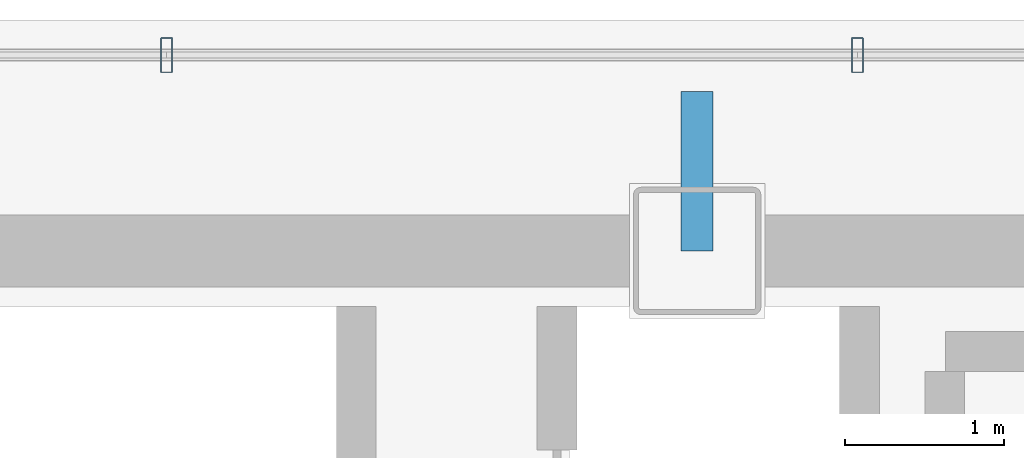
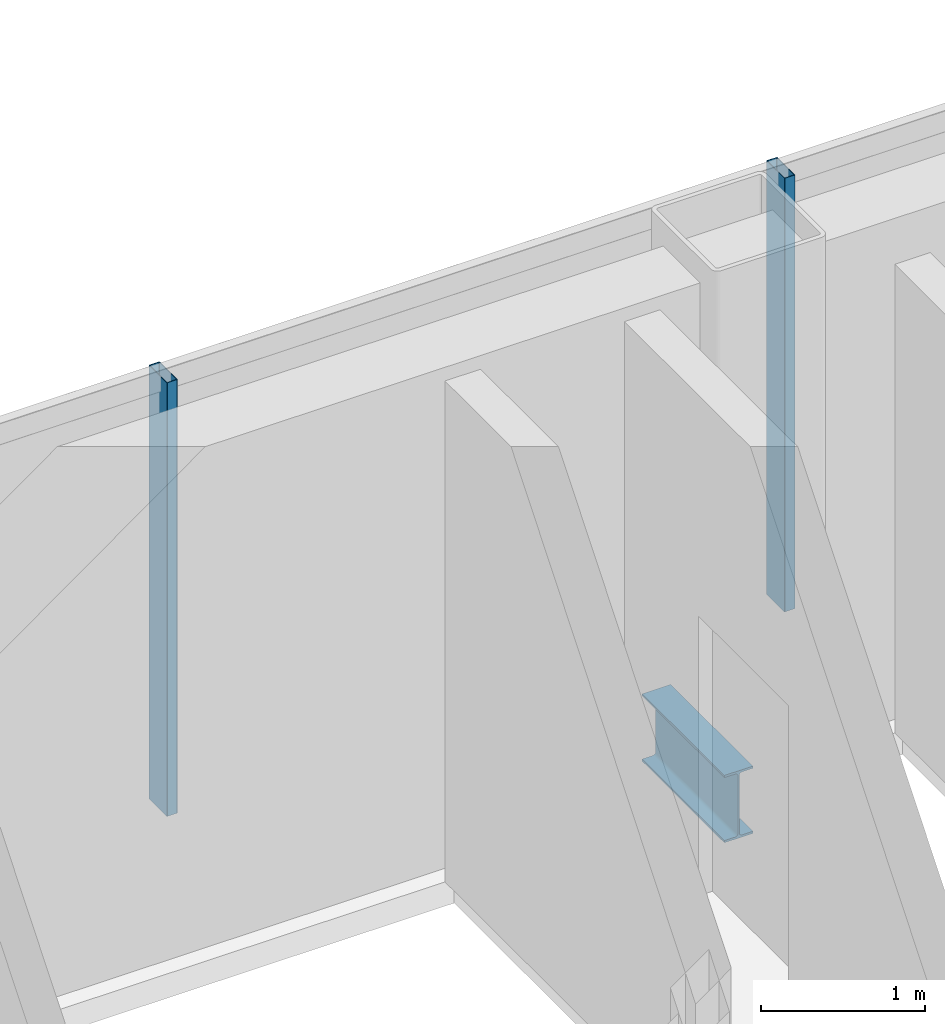
# One storey, part 9 of 15: 2 members, 1 beam, 1 element without a shape of its own.
"""IFC4 building model written with IfcOpenShell, lengths in metres."""

from ifc_helpers import new_model, si_unit, direction, frame, origin, origin_2d, place, context, subcontext, project, spatial, hollow_rectangle, i_section, extrude, material, material_profile, profile_set, type_object, element, aggregate, save


model = new_model("IFC4")

# Units and contexts
model_context = context("Model", 3, precision=1e-05, world=origin(), true_north=direction((0.0, 1.0)))
body_context = subcontext(model_context, "Body", "Model", "MODEL_VIEW")
ifc_project = project(units=[si_unit("LENGTHUNIT", "METRE"), si_unit("AREAUNIT", "SQUARE_METRE"), si_unit("VOLUMEUNIT", "CUBIC_METRE"), si_unit("PLANEANGLEUNIT", "RADIAN"), si_unit("MASSUNIT", "GRAM", prefix="KILO")], contexts=[model_context])

# Site, building, storey
site_placement = place(None, origin())
site = spatial("IfcSite", under=ifc_project, at=site_placement, CompositionType="ELEMENT")
building_placement = place(site_placement, origin())
building = spatial("IfcBuilding", under=site, at=building_placement, Name="Noeulbin Bourse Tower", CompositionType="ELEMENT")
storey_placement = place(building_placement, frame((0.0, 0.0, 215.0)))
storey = spatial("IfcBuildingStorey", under=building, at=storey_placement, Name="L53", CompositionType="ELEMENT", Elevation=215.0)

# Beam
ifc_material_1 = material(Name="Steel S355", Category="steel")
ifc_material_profile_1 = material_profile(ifc_material_1, i_section(OverallWidth=0.199951171875, OverallDepth=0.5, WebThickness=0.010009765625, FlangeThickness=0.01611328125, FilletRadius=0.02001953125, at=origin_2d()), Name="H-500x200x10x16", Category="LoadBearing")
ifc_profile_set_1 = profile_set([ifc_material_profile_1], Name="Steel S355")
beam_type = type_object("IfcBeamType", Name="BM-GRD-500", PredefinedType="USERDEFINED", material=ifc_profile_set_1)
beam_placement = place(storey_placement, frame((37.5, 38.300048828125, -0.429931640625), z_axis=(0.0, 1.0, 0.0), x_axis=(-1.0, 0.0, 0.0)))
element("IfcBeam", 1, at=beam_placement, inside=storey, type_object=beam_type, Name="Tower Primary Girder NS L53-4.4", ObjectType="GIRDER", PredefinedType="USERDEFINED", context=body_context, shape_type="SweptSolid", body=[
    extrude(i_section(OverallWidth=0.199951171875, OverallDepth=0.5, WebThickness=0.010009765625, FlangeThickness=0.01611328125, FilletRadius=0.02001953125, at=origin_2d()), origin(), (0.0, 0.0, 1.0), 1.0),
])

# Curtain wall, members
ifc_material_2 = material(Name="High-Selectivity Low-Iron Glazing", Category="glass")
curtain_wall_type = type_object("IfcCurtainWallType", Name="CW-SYS-4", PredefinedType="NOTDEFINED", material=ifc_material_2)
curtain_wall_placement = place(storey_placement, origin())
curtain_wall = element("IfcCurtainWall", 2, at=curtain_wall_placement, inside=storey, type_object=curtain_wall_type, Name="Unitised Curtain Wall CW-L53-N", PredefinedType="NOTDEFINED")
ifc_material_3 = material(Name="Anodised Aluminium 6063-T6", Category="aluminium")
ifc_material_profile_2 = material_profile(ifc_material_3, hollow_rectangle(XDim=0.074951171875, YDim=0.219970703125, WallThickness=0.0048828125, InnerFilletRadius=0.00244140625, OuterFilletRadius=0.0048828125, at=origin_2d()), Name="ALU-MULL-75x220x5", Category="LoadBearing")
ifc_profile_set_2 = profile_set([ifc_material_profile_2], Name="Anodised Aluminium 6063-T6")
member_type = type_object("IfcMemberType", Name="CW-SYS-4-MUL", PredefinedType="MULLION", material=ifc_profile_set_2)
member_1_placement = place(storey_placement, frame((34.1689453125, 39.530029296875, -0.02001953125), z_axis=(0.0, 0.0, 1.0), x_axis=(1.0, 0.0, 0.0)))
member_1 = element("IfcMember", 3, at=member_1_placement, type_object=member_type, Name="Curtain Wall Mullion CW-L53-N-M05", PredefinedType="MULLION", context=body_context, shape_type="SweptSolid", body=[
    extrude(hollow_rectangle(XDim=0.074951171875, YDim=0.219970703125, WallThickness=0.0048828125, InnerFilletRadius=0.00244140625, OuterFilletRadius=0.0048828125, at=origin_2d()), origin(), (0.0, 0.0, 1.0), 3.219970703125),
])
member_2_placement = place(storey_placement, frame((38.506591796875, 39.530029296875, -0.02001953125), z_axis=(0.0, 0.0, 1.0), x_axis=(1.0, 0.0, 0.0)))
member_2 = element("IfcMember", 4, at=member_2_placement, type_object=member_type, Name="Curtain Wall Mullion CW-L53-N-M06", PredefinedType="MULLION", context=body_context, shape_type="SweptSolid", body=[
    extrude(hollow_rectangle(XDim=0.074951171875, YDim=0.219970703125, WallThickness=0.0048828125, InnerFilletRadius=0.00244140625, OuterFilletRadius=0.0048828125, at=origin_2d()), origin(), (0.0, 0.0, 1.0), 3.219970703125),
])
aggregate(curtain_wall, [member_1, member_2])

save(model, "model.ifc")
